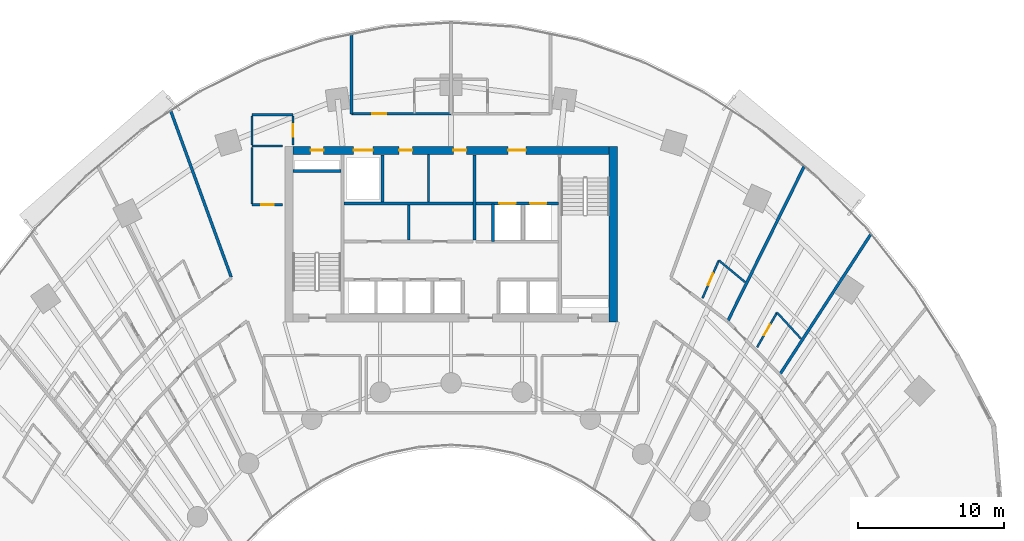
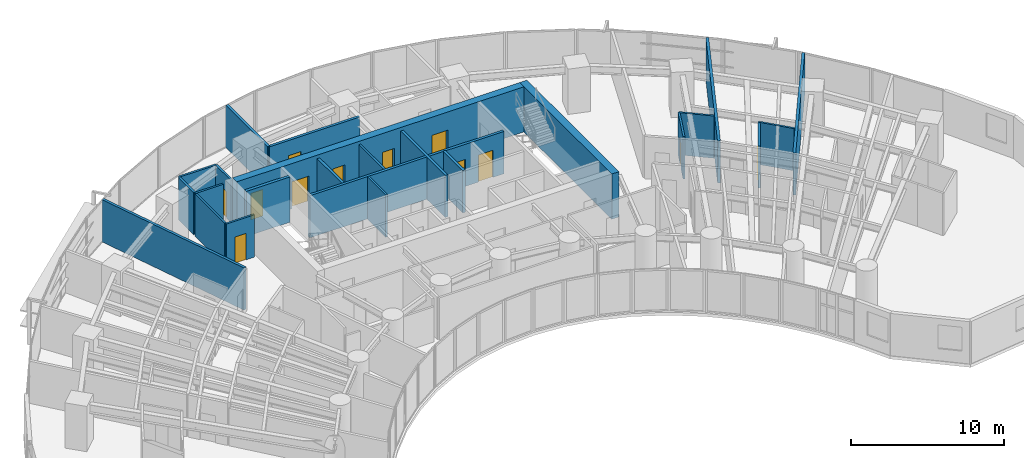
# One storey, part 14 of 18: 25 walls, 12 doors, 12 openings.
"""IFC4 building model written with IfcOpenShell, lengths in metres."""

import ifcopenshell
import ifcopenshell.guid

model = None  # the IFC model being written
_history = None  # IfcOwnerHistory: only IFC2X3 demands one
_inside = {}  # id of a spatial element -> (the spatial element, [elements in it])
_under = {}  # id of a project, library or spatial element -> (it, [spatial elements below it])
_declared = {}  # id of a project -> (the project, [libraries it declares])
_typed = {}  # id of a type object -> (the type object, [elements of that type])
_made_of = {}  # id of a material, layer set ... -> (it, [elements and type objects made of it])


def new_model(schema):
    """Start an empty IFC model of exactly this schema.

    Asked for "IFC4X3", IfcOpenShell would pick the latest addendum, in which some entities
    have other attributes; the version numbers below select the first issue.
    IFC2X3 requires an IfcOwnerHistory on every rooted entity: one is made here for all.
    """
    global model, _history
    if schema == "IFC4X3":
        model = ifcopenshell.file(schema_version=(4, 3, 0, 0))
    else:
        model = ifcopenshell.file(schema=schema)
    _inside.clear()
    _under.clear()
    _declared.clear()
    _typed.clear()
    _made_of.clear()
    _history = None
    if model.schema == "IFC2X3":
        org = make("IfcOrganization", Name="unknown")
        user = make(
            "IfcPersonAndOrganization",
            ThePerson=make("IfcPerson", FamilyName="unknown"),
            TheOrganization=org,
        )
        app = make(
            "IfcApplication",
            ApplicationDeveloper=org,
            Version="unknown",
            ApplicationFullName="unknown",
            ApplicationIdentifier="unknown",
        )
        _history = make(
            "IfcOwnerHistory",
            OwningUser=user,
            OwningApplication=app,
            ChangeAction="ADDED",
            CreationDate=0,
        )
    return model


def make(cls, **values):
    """One entity of the class cls with the attributes given. An attribute that is None is left unset."""
    return model.create_entity(
        cls, **{name: value for name, value in values.items() if value is not None}
    )


def rooted(cls, **values):
    """An entity with a GlobalId (a new one), such as an element, a storey or a relation."""
    return make(cls, GlobalId=ifcopenshell.guid.new(), OwnerHistory=_history, **values)


def si_unit(unit_type, name, prefix=None):
    """IfcSIUnit, for example si_unit("LENGTHUNIT", "METRE", prefix="MILLI")."""
    return make("IfcSIUnit", UnitType=unit_type, Prefix=prefix, Name=name)


def assignment(units):
    """IfcUnitAssignment: the units of a project."""
    return None if units is None else make("IfcUnitAssignment", Units=units)


def point(xyz):
    """IfcCartesianPoint."""
    return None if xyz is None else make("IfcCartesianPoint", Coordinates=xyz)


def direction(xyz):
    """IfcDirection."""
    return None if xyz is None else make("IfcDirection", DirectionRatios=xyz)


def frame(location, z_axis=None, x_axis=None):
    """IfcAxis2Placement3D, a coordinate frame: its origin and axes. An axis left out is left unset."""
    return make(
        "IfcAxis2Placement3D",
        Location=point(location),
        Axis=direction(z_axis),
        RefDirection=direction(x_axis),
    )


def frame_2d(location, x_axis=None):
    """IfcAxis2Placement2D, a coordinate frame in the plane: its origin and x axis."""
    return make(
        "IfcAxis2Placement2D", Location=point(location), RefDirection=direction(x_axis)
    )


def origin():
    """The frame at (0, 0, 0) with its axes left unset."""
    return frame((0.0, 0.0, 0.0))


def place(relative_to, where):
    """IfcLocalPlacement: puts the frame where relative to a parent placement (None: the world)."""
    return make(
        "IfcLocalPlacement", PlacementRelTo=relative_to, RelativePlacement=where
    )


def context(
    kind, dimensions, precision=None, world=None, true_north=None, identifier=None
):
    """IfcGeometricRepresentationContext, for example the 3D "Model" context."""
    return make(
        "IfcGeometricRepresentationContext",
        ContextIdentifier=identifier,
        ContextType=kind,
        CoordinateSpaceDimension=dimensions,
        Precision=precision,
        WorldCoordinateSystem=world,
        TrueNorth=true_north,
    )


def subcontext(parent, identifier, kind, view, scale=None):
    """IfcGeometricRepresentationSubContext, for example "Body" below "Model"."""
    return make(
        "IfcGeometricRepresentationSubContext",
        ContextIdentifier=identifier,
        ContextType=kind,
        ParentContext=parent,
        TargetScale=scale,
        TargetView=view,
    )


def project(units=None, contexts=None):
    """IfcProject with its units and contexts."""
    return rooted(
        "IfcProject",
        Name="project",
        RepresentationContexts=contexts,
        UnitsInContext=assignment(units),
    )


def spatial(cls, under=None, at=None, **own):
    """A site, building, storey or space (cls), placed at a placement, below another one or the project."""
    s = rooted(cls, ObjectPlacement=at, **own)
    if under is not None:
        _under.setdefault(under.id(), (under, []))[1].append(s)
    return s


def profile(cls, at=None, kind="AREA", **sizes):
    """A parametric profile (cls). Its sizes go by their IFC names, for example OverallWidth=200.0."""
    return make(cls, ProfileType=kind, Position=at, **sizes)


def rectangle(**sizes):
    """IfcRectangleProfileDef."""
    return profile("IfcRectangleProfileDef", **sizes)


def extrude(swept, where, along, depth):
    """IfcExtrudedAreaSolid: the profile swept, set in the frame where, extruded along a direction by depth."""
    return make(
        "IfcExtrudedAreaSolid",
        SweptArea=swept,
        Position=where,
        ExtrudedDirection=direction(along),
        Depth=depth,
    )


def shape(context_of_items, identifier, shape_type, items):
    """IfcShapeRepresentation: the items that make up one representation, for example the "Body"."""
    return make(
        "IfcShapeRepresentation",
        ContextOfItems=context_of_items,
        RepresentationIdentifier=identifier,
        RepresentationType=shape_type,
        Items=items,
    )


def source(mapping_origin, context_of_items, identifier, shape_type, items):
    """IfcRepresentationMap: a shape defined once, which mapped items show again and again."""
    return make(
        "IfcRepresentationMap",
        MappingOrigin=mapping_origin,
        MappedRepresentation=shape(context_of_items, identifier, shape_type, items),
    )


def transform(
    local_origin,
    x_axis=None,
    y_axis=None,
    z_axis=None,
    scale=None,
    scale2=None,
    scale3=None,
    uniform=True,
):
    """IfcCartesianTransformationOperator3D, or its non-uniform kind. x_axis, y_axis, z_axis: its Axis1, 2, 3."""
    if uniform:
        return make(
            "IfcCartesianTransformationOperator3D",
            Axis1=direction(x_axis),
            Axis2=direction(y_axis),
            LocalOrigin=point(local_origin),
            Scale=scale,
            Axis3=direction(z_axis),
        )
    return make(
        "IfcCartesianTransformationOperator3DnonUniform",
        Axis1=direction(x_axis),
        Axis2=direction(y_axis),
        LocalOrigin=point(local_origin),
        Scale=scale,
        Axis3=direction(z_axis),
        Scale2=scale2,
        Scale3=scale3,
    )


def mapped(mapping_source, mapping_target):
    """IfcMappedItem: shows the shape of a source again, moved by a transform."""
    return make(
        "IfcMappedItem", MappingSource=mapping_source, MappingTarget=mapping_target
    )


def material(Name=None, Category=None):
    """IfcMaterial."""
    return make("IfcMaterial", Name=Name, Category=Category)


def layer(
    of_material, thickness, ventilated=None, Name=None, Category=None, Priority=None
):
    """IfcMaterialLayer: one layer of a wall or slab, of a material (None: an air gap)."""
    return make(
        "IfcMaterialLayer",
        Material=of_material,
        LayerThickness=thickness,
        IsVentilated=ventilated,
        Name=Name,
        Category=Category,
        Priority=Priority,
    )


def layer_set(layers, Name=None):
    """IfcMaterialLayerSet."""
    return make("IfcMaterialLayerSet", MaterialLayers=layers, LayerSetName=Name)


def made_of(thing, what):
    """Note that an element or type object is made of a material, layer set ...; save() writes the relation."""
    if what is not None:
        _made_of.setdefault(what.id(), (what, []))[1].append(thing)
    return thing


def type_object(cls, material=None, **own):
    """A type object (cls), such as IfcWallType, which elements share."""
    return made_of(rooted(cls, **own), material)


def type_shapes(of_type, sources):
    """Give a type object the sources (RepresentationMaps) that its elements show as mapped items."""
    of_type.RepresentationMaps = sources


def element(
    cls,
    number,
    at=None,
    inside=None,
    cuts=None,
    type_object=None,
    material=None,
    context=None,
    identifier="Body",
    shape_type=None,
    held_by="IfcProductDefinitionShape",
    body=None,
    shapes=None,
    **own,
):
    """One element of the class cls, such as IfcWall. Its Tag is "e" and its number.

    at: its placement. inside: the storey or other place that contains it. cuts: it is an
    opening in that element (IfcRelVoidsElement). A single representation is given by context,
    identifier, shape_type and body (its items); several are given by shapes. held_by: the class
    of the entity that holds the representations. save() writes the other relations.
    """
    e = rooted(cls, Tag="e%d" % number, ObjectPlacement=at, **own)
    if body is not None:
        shapes = [shape(context, identifier, shape_type, body)]
    if shapes is not None:
        e.Representation = make(held_by, Representations=shapes)
    if inside is not None:
        _inside.setdefault(inside.id(), (inside, []))[1].append(e)
    if cuts is not None:
        rooted(
            "IfcRelVoidsElement", RelatingBuildingElement=cuts, RelatedOpeningElement=e
        )
    if type_object is not None:
        _typed.setdefault(type_object.id(), (type_object, []))[1].append(e)
    return made_of(e, material)


def fill(opening, filler):
    """IfcRelFillsElement: the door or window that sits in an opening."""
    return rooted(
        "IfcRelFillsElement",
        RelatingOpeningElement=opening,
        RelatedBuildingElement=filler,
    )


def aggregate(whole, parts):
    """IfcRelAggregates: a whole, such as a stair, and the parts it consists of."""
    return rooted("IfcRelAggregates", RelatingObject=whole, RelatedObjects=parts)


def save(model, path):
    """Write the relations noted so far, then the file.

    IfcRelAggregates (storeys below a building ...), IfcRelContainedInSpatialStructure (elements
    in a storey), IfcRelDefinesByType, IfcRelAssociatesMaterial and IfcRelDeclares: one each for
    every whole, place, type object, material and project.
    """
    for whole, parts in _under.values():
        aggregate(whole, parts)
    for where, things in _inside.values():
        rooted(
            "IfcRelContainedInSpatialStructure",
            RelatedElements=things,
            RelatingStructure=where,
        )
    for kind, things in _typed.values():
        rooted("IfcRelDefinesByType", RelatedObjects=things, RelatingType=kind)
    for what, things in _made_of.values():
        rooted("IfcRelAssociatesMaterial", RelatedObjects=things, RelatingMaterial=what)
    for by, libraries in _declared.values():
        rooted("IfcRelDeclares", RelatingContext=by, RelatedDefinitions=libraries)
    model.write(path)


model = new_model("IFC4")

# Units and contexts
model_context = context("Model", 3, precision=1e-05, world=origin(), true_north=direction((0.0, 1.0)))
body_context = subcontext(model_context, "Body", "Model", "MODEL_VIEW")
ifc_project = project(units=[si_unit("LENGTHUNIT", "METRE"), si_unit("AREAUNIT", "SQUARE_METRE"), si_unit("VOLUMEUNIT", "CUBIC_METRE"), si_unit("PLANEANGLEUNIT", "RADIAN"), si_unit("MASSUNIT", "GRAM", prefix="KILO")], contexts=[model_context])

# Site, building, storey
site_placement = place(None, origin())
site = spatial("IfcSite", under=ifc_project, at=site_placement, CompositionType="ELEMENT")
building_placement = place(site_placement, origin())
building = spatial("IfcBuilding", under=site, at=building_placement, Name="Breltana Convention Tower", CompositionType="ELEMENT")
storey_placement = place(building_placement, frame((0.0, 0.0, 42.60009765625)))
storey = spatial("IfcBuildingStorey", under=building, at=storey_placement, Name="L08", CompositionType="ELEMENT", Elevation=42.60009765625)

# Wall
ifc_material_1 = material(Name="Concrete C60/75", Category="concrete")
ifc_layer_1 = layer(ifc_material_1, 0.550048828125, Name="Concrete C60/75")
ifc_layer_set_1 = layer_set([ifc_layer_1], Name="Concrete C60/75")
wall_type_1 = type_object("IfcWallType", Name="SW-CORE-550", PredefinedType="SHEAR", material=ifc_layer_set_1)
shared_shape_1 = source(origin(), body_context, "Body", "SweptSolid", [
    extrude(rectangle(XDim=12.0, YDim=0.550048828125, at=frame_2d((6.0, 0.0))), origin(), (0.0, 0.0, 1.0), 3.599853515625),
])
wall_1_placement = place(storey_placement, frame((59.074951171875, 60.199951171875, 0.0), z_axis=(0.0, 0.0, 1.0), x_axis=(0.0, 1.0, 0.0)))
element("IfcWall", 1, at=wall_1_placement, inside=storey, type_object=wall_type_1, Name="L08 East Core Shear Wall", PredefinedType="SHEAR", context=body_context, shape_type="MappedRepresentation", body=[
    mapped(shared_shape_1, transform((0.0, 0.0, 0.0), scale=1.0)),
])

# Wall, openings, doors
shared_shape_2 = source(origin(), body_context, "Body", "SweptSolid", [
    extrude(rectangle(XDim=21.60009765625, YDim=0.550048828125, at=frame_2d((10.800048828125, 0.0))), origin(), (0.0, 0.0, 1.0), 3.599853515625),
])
wall_2_placement = place(storey_placement, frame((37.199951171875, 71.925048828125, 0.0), z_axis=(0.0, 0.0, 1.0), x_axis=(1.0, 0.0, 0.0)))
wall_2 = element("IfcWall", 2, at=wall_2_placement, inside=storey, type_object=wall_type_1, Name="L08 North Core Shear Wall", PredefinedType="SHEAR", context=body_context, shape_type="MappedRepresentation", body=[
    mapped(shared_shape_2, transform((0.0, 0.0, 0.0), scale=1.0)),
])
opening_1_placement = place(wall_2_placement, frame((1.199951171875, 0.0, 0.0)))
opening_1 = element("IfcOpeningElement", 3, at=opening_1_placement, cuts=wall_2, Name="Opening D-18", PredefinedType="OPENING", context=body_context, shape_type="SweptSolid", body=[
    extrude(rectangle(XDim=0.89990234375, YDim=2.10009765625, at=frame_2d((0.449951171875, 1.050048828125))), frame((0.0, 0.28515625, 0.0), z_axis=(0.0, -1.0, 0.0), x_axis=(1.0, 0.0, 0.0)), (0.0, 0.0, 1.0), 0.570068359375),
])
opening_2_placement = place(wall_2_placement, frame((14.699951171875, 0.0, 0.0)))
opening_2 = element("IfcOpeningElement", 4, at=opening_2_placement, cuts=wall_2, Name="Opening D-09", PredefinedType="OPENING", context=body_context, shape_type="SweptSolid", body=[
    extrude(rectangle(XDim=1.199951171875, YDim=2.14990234375, at=frame_2d((0.60009765625, 1.074951171875))), frame((0.0, 0.28515625, 0.0), z_axis=(0.0, -1.0, 0.0), x_axis=(1.0, 0.0, 0.0)), (0.0, 0.0, 1.0), 0.570068359375),
])
opening_3_placement = place(wall_2_placement, frame((4.14990234375, 0.0, 0.0)))
opening_3 = element("IfcOpeningElement", 5, at=opening_3_placement, cuts=wall_2, Name="Opening LD-01", PredefinedType="OPENING", context=body_context, shape_type="SweptSolid", body=[
    extrude(rectangle(XDim=1.300048828125, YDim=2.14990234375, at=frame_2d((0.64990234375, 1.074951171875))), frame((0.0, 0.28515625, 0.0), z_axis=(0.0, -1.0, 0.0), x_axis=(1.0, 0.0, 0.0)), (0.0, 0.0, 1.0), 0.570068359375),
])
opening_4_placement = place(wall_2_placement, frame((7.25, 0.0, 0.0)))
opening_4 = element("IfcOpeningElement", 6, at=opening_4_placement, cuts=wall_2, Name="Opening D-18", PredefinedType="OPENING", context=body_context, shape_type="SweptSolid", body=[
    extrude(rectangle(XDim=0.89990234375, YDim=2.10009765625, at=frame_2d((0.449951171875, 1.050048828125))), frame((0.0, 0.28515625, 0.0), z_axis=(0.0, -1.0, 0.0), x_axis=(1.0, 0.0, 0.0)), (0.0, 0.0, 1.0), 0.570068359375),
])
opening_5_placement = place(wall_2_placement, frame((10.949951171875, 0.0, 0.0)))
opening_5 = element("IfcOpeningElement", 7, at=opening_5_placement, cuts=wall_2, Name="Opening D-18", PredefinedType="OPENING", context=body_context, shape_type="SweptSolid", body=[
    extrude(rectangle(XDim=0.89990234375, YDim=2.10009765625, at=frame_2d((0.449951171875, 1.050048828125))), frame((0.0, 0.28515625, 0.0), z_axis=(0.0, -1.0, 0.0), x_axis=(1.0, 0.0, 0.0)), (0.0, 0.0, 1.0), 0.570068359375),
])
ifc_material_2 = material(Name="Steel Riser Fire Door", Category="steel")
door_type_1 = type_object("IfcDoorType", Name="DR-FD60-900", OperationType="NOTDEFINED", PredefinedType="DOOR", material=ifc_material_2)
shared_shape_3 = source(origin(), body_context, "Body", "SweptSolid", [
    extrude(rectangle(XDim=0.89990234375, YDim=2.10009765625, at=frame_2d((0.449951171875, 1.050048828125))), frame((0.0, 0.02490234375, 0.0), z_axis=(0.0, -1.0, 0.0), x_axis=(1.0, 0.0, 0.0)), (0.0, 0.0, 1.0), 0.050048828125),
])
type_shapes(door_type_1, [shared_shape_3])
door_1_placement = place(opening_1_placement, origin())
door_1 = element("IfcDoor", 8, at=door_1_placement, inside=storey, type_object=door_type_1, Name="L08 Core Riser Access Door D-L08-RS1", OperationType="SINGLE_SWING_LEFT", OverallHeight=2.10009765625, OverallWidth=0.89990234375, PredefinedType="DOOR", context=body_context, shape_type="MappedRepresentation", body=[
    mapped(shared_shape_3, transform((0.0, 0.0, 0.0), scale=1.0)),
])
fill(opening_1, door_1)
door_2_placement = place(opening_4_placement, origin())
door_2 = element("IfcDoor", 9, at=door_2_placement, inside=storey, type_object=door_type_1, Name="L08 interior door D-L08-CRA1", OperationType="SINGLE_SWING_RIGHT", OverallHeight=2.10009765625, OverallWidth=0.89990234375, PredefinedType="DOOR", context=body_context, shape_type="MappedRepresentation", body=[
    mapped(shared_shape_3, transform((0.0, 0.0, 0.0), scale=1.0)),
])
fill(opening_4, door_2)
door_3_placement = place(opening_5_placement, origin())
door_3 = element("IfcDoor", 10, at=door_3_placement, inside=storey, type_object=door_type_1, Name="L08 interior door D-L08-CRA2", OperationType="SINGLE_SWING_LEFT", OverallHeight=2.10009765625, OverallWidth=0.89990234375, PredefinedType="DOOR", context=body_context, shape_type="MappedRepresentation", body=[
    mapped(shared_shape_3, transform((0.0, 0.0, 0.0), scale=1.0)),
])
fill(opening_5, door_3)
ifc_material_3 = material(Name="Steel Fire Lobby Door", Category="steel")
door_type_2 = type_object("IfcDoorType", Name="DR-FD120-1200", OperationType="NOTDEFINED", PredefinedType="DOOR", material=ifc_material_3)
shared_shape_4 = source(origin(), body_context, "Body", "SweptSolid", [
    extrude(rectangle(XDim=1.199951171875, YDim=2.14990234375, at=frame_2d((0.60009765625, 1.074951171875))), frame((0.0, 0.02490234375, 0.0), z_axis=(0.0, -1.0, 0.0), x_axis=(1.0, 0.0, 0.0)), (0.0, 0.0, 1.0), 0.050048828125),
])
type_shapes(door_type_2, [shared_shape_4])
door_4_placement = place(opening_2_placement, origin())
door_4 = element("IfcDoor", 11, at=door_4_placement, inside=storey, type_object=door_type_2, Name="L08 interior door D-L08-FFL-N", OperationType="SINGLE_SWING_RIGHT", OverallHeight=2.14990234375, OverallWidth=1.199951171875, PredefinedType="DOOR", context=body_context, shape_type="MappedRepresentation", body=[
    mapped(shared_shape_4, transform((0.0, 0.0, 0.0), scale=1.0)),
])
fill(opening_2, door_4)
ifc_material_4 = material(Name="Stainless Steel Brushed", Category="steel")
door_type_3 = type_object("IfcDoorType", Name="DR-LD-SRV-1300", OperationType="DOUBLE_DOOR_SLIDING", PredefinedType="DOOR", material=ifc_material_4)
shared_shape_5 = source(origin(), body_context, "Body", "SweptSolid", [
    extrude(rectangle(XDim=1.300048828125, YDim=2.14990234375, at=frame_2d((0.64990234375, 1.074951171875))), frame((0.0, 0.02490234375, 0.0), z_axis=(0.0, -1.0, 0.0), x_axis=(1.0, 0.0, 0.0)), (0.0, 0.0, 1.0), 0.050048828125),
])
type_shapes(door_type_3, [shared_shape_5])
door_5_placement = place(opening_3_placement, origin())
door_5 = element("IfcDoor", 12, at=door_5_placement, inside=storey, type_object=door_type_3, Name="L08 Lift Landing Door D-L08-LD-SV1", OperationType="DOUBLE_DOOR_SLIDING", OverallHeight=2.14990234375, OverallWidth=1.300048828125, PredefinedType="DOOR", context=body_context, shape_type="MappedRepresentation", body=[
    mapped(shared_shape_5, transform((0.0, 0.0, 0.0), scale=1.0)),
])
fill(opening_3, door_5)

# Wall
ifc_material_5 = material(Name="Concrete C50/60", Category="concrete")
ifc_layer_2 = layer(ifc_material_5, 0.39990234375, Name="Concrete C50/60")
ifc_layer_set_2 = layer_set([ifc_layer_2], Name="Concrete C50/60")
wall_type_2 = type_object("IfcWallType", Name="SW-CORE-400", PredefinedType="SHEAR", material=ifc_layer_set_2)
shared_shape_6 = source(origin(), body_context, "Body", "SweptSolid", [
    extrude(rectangle(XDim=3.27001953125, YDim=0.219970703125, at=frame_2d((1.635009765625, 0.0))), origin(), (0.0, 0.0, 1.0), 3.599853515625),
])
wall_3_placement = place(storey_placement, frame((37.199951171875, 70.510009765625, 0.0), z_axis=(0.0, 0.0, 1.0), x_axis=(1.0, 0.0, 0.0)))
element("IfcWall", 13, at=wall_3_placement, inside=storey, type_object=wall_type_2, Name="L08 ST-1 Stairwell North Bearing Wall", PredefinedType="SHEAR", context=body_context, shape_type="MappedRepresentation", body=[
    mapped(shared_shape_6, transform((0.0, 0.0, 0.0), scale=1.0)),
])

# Wall, openings, doors
ifc_material_6 = material(Name="Autoclaved Aerated Concrete Block", Category="concrete")
ifc_layer_3 = layer(ifc_material_6, 0.199951171875, Name="Autoclaved Aerated Concrete Block")
ifc_layer_set_3 = layer_set([ifc_layer_3], Name="Autoclaved Aerated Concrete Block")
wall_type_3 = type_object("IfcWallType", Name="WL-SHAFT-200", PredefinedType="SOLIDWALL", material=ifc_layer_set_3)
shared_shape_7 = source(origin(), body_context, "Body", "SweptSolid", [
    extrude(rectangle(XDim=5.6201171875, YDim=0.199951171875, at=frame_2d((2.81005859375, 0.0))), origin(), (0.0, 0.0, 1.0), 3.35986328125),
])
wall_4_placement = place(storey_placement, frame((49.699951171875, 68.300048828125, 0.0), z_axis=(0.0, 0.0, 1.0), x_axis=(1.0, 0.0, 0.0)))
wall_4 = element("IfcWall", 14, at=wall_4_placement, inside=storey, type_object=wall_type_3, Name="L08 interior partition W-L08-FFL-S", PredefinedType="SOLIDWALL", context=body_context, shape_type="MappedRepresentation", body=[
    mapped(shared_shape_7, transform((0.0, 0.0, 0.0), scale=1.0)),
])
opening_6_placement = place(wall_4_placement, frame((1.60009765625, 0.0, 0.0)))
opening_6 = element("IfcOpeningElement", 15, at=opening_6_placement, cuts=wall_4, Name="Opening LD-03", PredefinedType="OPENING", context=body_context, shape_type="SweptSolid", body=[
    extrude(rectangle(XDim=1.10009765625, YDim=2.14990234375, at=frame_2d((0.550048828125, 1.074951171875))), frame((0.0, 0.10986328125, 0.0), z_axis=(0.0, -1.0, 0.0), x_axis=(1.0, 0.0, 0.0)), (0.0, 0.0, 1.0), 0.219970703125),
])
opening_7_placement = place(wall_4_placement, frame((3.699951171875, 0.0, 0.0)))
opening_7 = element("IfcOpeningElement", 16, at=opening_7_placement, cuts=wall_4, Name="Opening LD-03", PredefinedType="OPENING", context=body_context, shape_type="SweptSolid", body=[
    extrude(rectangle(XDim=1.10009765625, YDim=2.14990234375, at=frame_2d((0.550048828125, 1.074951171875))), frame((0.0, 0.10986328125, 0.0), z_axis=(0.0, -1.0, 0.0), x_axis=(1.0, 0.0, 0.0)), (0.0, 0.0, 1.0), 0.219970703125),
])
door_type_4 = type_object("IfcDoorType", Name="DR-LD-FF-1100", OperationType="DOUBLE_DOOR_SLIDING", PredefinedType="DOOR", material=ifc_material_4)
shared_shape_8 = source(origin(), body_context, "Body", "SweptSolid", [
    extrude(rectangle(XDim=1.10009765625, YDim=2.14990234375, at=frame_2d((0.550048828125, 1.074951171875))), frame((0.0, 0.02490234375, 0.0), z_axis=(0.0, -1.0, 0.0), x_axis=(1.0, 0.0, 0.0)), (0.0, 0.0, 1.0), 0.050048828125),
])
type_shapes(door_type_4, [shared_shape_8])
door_6_placement = place(opening_6_placement, origin())
door_6 = element("IfcDoor", 17, at=door_6_placement, inside=storey, type_object=door_type_4, Name="L08 Lift Landing Door D-L08-LD-FL1", OperationType="DOUBLE_DOOR_SLIDING", OverallHeight=2.14990234375, OverallWidth=1.10009765625, PredefinedType="DOOR", context=body_context, shape_type="MappedRepresentation", body=[
    mapped(shared_shape_8, transform((0.0, 0.0, 0.0), scale=1.0)),
])
fill(opening_6, door_6)
door_7_placement = place(opening_7_placement, origin())
door_7 = element("IfcDoor", 18, at=door_7_placement, inside=storey, type_object=door_type_4, Name="L08 Lift Landing Door D-L08-LD-FL2", OperationType="DOUBLE_DOOR_SLIDING", OverallHeight=2.14990234375, OverallWidth=1.10009765625, PredefinedType="DOOR", context=body_context, shape_type="MappedRepresentation", body=[
    mapped(shared_shape_8, transform((0.0, 0.0, 0.0), scale=1.0)),
])
fill(opening_7, door_7)

# Walls
shared_shape_9 = source(origin(), body_context, "Body", "SweptSolid", [
    extrude(rectangle(XDim=5.800048828125, YDim=0.199951171875, at=frame_2d((2.89990234375, 0.0))), origin(), (0.0, 0.0, 1.0), 3.35986328125),
])
wall_5_placement = place(storey_placement, frame((49.60009765625, 65.800048828125, 0.0), z_axis=(0.0, 0.0, 1.0), x_axis=(0.0, 1.0, 0.0)))
element("IfcWall", 19, at=wall_5_placement, inside=storey, type_object=wall_type_3, Name="L08 interior partition W-L08-FFL-W", PredefinedType="SOLIDWALL", context=body_context, shape_type="MappedRepresentation", body=[
    mapped(shared_shape_9, transform((0.0, 0.0, 0.0), scale=1.0)),
])
shared_shape_10 = source(origin(), body_context, "Body", "SweptSolid", [
    extrude(rectangle(XDim=2.580078125, YDim=0.199951171875, at=frame_2d((1.2900390625, 0.0))), origin(), (0.0, 0.0, 1.0), 3.35986328125),
])
wall_6_placement = place(storey_placement, frame((50.85009765625, 65.679931640625, 0.0), z_axis=(0.0, 0.0, 1.0), x_axis=(0.0, 1.0, 0.0)))
element("IfcWall", 20, at=wall_6_placement, inside=storey, type_object=wall_type_3, Name="L08 interior partition W-L08-FL-W", PredefinedType="SOLIDWALL", context=body_context, shape_type="MappedRepresentation", body=[
    mapped(shared_shape_10, transform((0.0, 0.0, 0.0), scale=1.0)),
])
shared_shape_11 = source(origin(), body_context, "Body", "SweptSolid", [
    extrude(rectangle(XDim=3.2001953125, YDim=0.199951171875, at=frame_2d((1.60009765625, 0.0))), origin(), (0.0, 0.0, 1.0), 3.35986328125),
])
wall_7_placement = place(storey_placement, frame((43.320068359375, 68.39990234375, 0.0), z_axis=(0.0, 0.0, 1.0), x_axis=(0.0, 1.0, 0.0)))
element("IfcWall", 21, at=wall_7_placement, inside=storey, type_object=wall_type_3, Name="L08 interior partition W-L08-SV-E", PredefinedType="SOLIDWALL", context=body_context, shape_type="MappedRepresentation", body=[
    mapped(shared_shape_11, transform((0.0, 0.0, 0.0), scale=1.0)),
])
shared_shape_12 = source(origin(), body_context, "Body", "SweptSolid", [
    extrude(rectangle(XDim=8.800048828125, YDim=0.199951171875, at=frame_2d((4.39990234375, 0.0))), origin(), (0.0, 0.0, 1.0), 3.35986328125),
])
wall_8_placement = place(storey_placement, frame((40.699951171875, 68.300048828125, 0.0), z_axis=(0.0, 0.0, 1.0), x_axis=(1.0, 0.0, 0.0)))
element("IfcWall", 22, at=wall_8_placement, inside=storey, type_object=wall_type_3, Name="L08 interior partition W-L08-SV-S", PredefinedType="SOLIDWALL", context=body_context, shape_type="MappedRepresentation", body=[
    mapped(shared_shape_12, transform((0.0, 0.0, 0.0), scale=1.0)),
])
ifc_material_7 = material(Name="Gypsum Acoustic Drywall Partition")
ifc_layer_4 = layer(ifc_material_7, 0.14990234375, Name="Gypsum Acoustic Drywall Partition")
ifc_layer_set_4 = layer_set([ifc_layer_4], Name="Gypsum Acoustic Drywall Partition")
wall_type_4 = type_object("IfcWallType", Name="WL-PART-150", PredefinedType="PARTITIONING", material=ifc_layer_set_4)
shared_shape_13 = source(origin(), body_context, "Body", "SweptSolid", [
    extrude(rectangle(XDim=3.22998046875, YDim=0.14990234375, at=frame_2d((1.614990234375, 0.0))), origin(), (0.0, 0.0, 1.0), 3.35986328125),
])
wall_9_placement = place(storey_placement, frame((46.449951171875, 68.39990234375, 0.0), z_axis=(0.0, 0.0, 1.0), x_axis=(0.0, 1.0, 0.0)))
element("IfcWall", 23, at=wall_9_placement, inside=storey, type_object=wall_type_4, Name="L08 interior partition W-L08-KV-1", PredefinedType="PARTITIONING", context=body_context, shape_type="MappedRepresentation", body=[
    mapped(shared_shape_13, transform((0.0, 0.0, 0.0), scale=1.0)),
])
shared_shape_14 = source(origin(), body_context, "Body", "SweptSolid", [
    extrude(rectangle(XDim=2.39990234375, YDim=0.14990234375, at=frame_2d((1.199951171875, 0.0))), origin(), (0.0, 0.0, 1.0), 3.35986328125),
])
wall_10_placement = place(storey_placement, frame((45.10009765625, 65.800048828125, 0.0), z_axis=(0.0, 0.0, 1.0), x_axis=(0.0, 1.0, 0.0)))
element("IfcWall", 24, at=wall_10_placement, inside=storey, type_object=wall_type_4, Name="L08 interior partition W-L08-LV7-B2-DIV", PredefinedType="PARTITIONING", context=body_context, shape_type="MappedRepresentation", body=[
    mapped(shared_shape_14, transform((0.0, 0.0, 0.0), scale=1.0)),
])
shared_shape_15 = source(origin(), body_context, "Body", "SweptSolid", [
    extrude(rectangle(XDim=2.10009765625, YDim=0.14990234375, at=frame_2d((1.050048828125, 0.0))), origin(), (0.0, 0.0, 1.0), 3.35986328125),
])
wall_11_placement = place(storey_placement, frame((34.39990234375, 72.219970703125, 0.0), z_axis=(0.0, 0.0, 1.0), x_axis=(1.0, 0.0, 0.0)))
element("IfcWall", 25, at=wall_11_placement, inside=storey, type_object=wall_type_4, Name="L08 interior partition W-L08-CRNW-S", PredefinedType="PARTITIONING", context=body_context, shape_type="MappedRepresentation", body=[
    mapped(shared_shape_15, transform((0.0, 0.0, 0.0), scale=1.0)),
])

# Wall, opening, door
wall_12_placement = place(storey_placement, frame((34.39990234375, 68.199951171875, 0.0), z_axis=(0.0, 0.0, 1.0), x_axis=(1.0, 0.0, 0.0)))
wall_12 = element("IfcWall", 26, at=wall_12_placement, inside=storey, type_object=wall_type_4, Name="L08 interior partition W-L08-CRSW-S", PredefinedType="PARTITIONING", context=body_context, shape_type="MappedRepresentation", body=[
    mapped(shared_shape_15, transform((0.0, 0.0, 0.0), scale=1.0)),
])
opening_8_placement = place(wall_12_placement, frame((0.625, 0.0, 0.0)))
opening_8 = element("IfcOpeningElement", 27, at=opening_8_placement, cuts=wall_12, Name="Opening D-20", PredefinedType="OPENING", context=body_context, shape_type="SweptSolid", body=[
    extrude(rectangle(XDim=0.85009765625, YDim=2.10009765625, at=frame_2d((0.425048828125, 1.050048828125))), frame((0.0, 0.0849609375, 0.0), z_axis=(0.0, -1.0, 0.0), x_axis=(1.0, 0.0, 0.0)), (0.0, 0.0, 1.0), 0.169921875),
])
ifc_material_8 = material(Name="Steel Closet Fire Door", Category="steel")
door_type_5 = type_object("IfcDoorType", Name="DR-FD60-850", OperationType="NOTDEFINED", PredefinedType="DOOR", material=ifc_material_8)
shared_shape_16 = source(origin(), body_context, "Body", "SweptSolid", [
    extrude(rectangle(XDim=0.85009765625, YDim=2.10009765625, at=frame_2d((0.425048828125, 1.050048828125))), frame((0.0, 0.02490234375, 0.0), z_axis=(0.0, -1.0, 0.0), x_axis=(1.0, 0.0, 0.0)), (0.0, 0.0, 1.0), 0.050048828125),
])
type_shapes(door_type_5, [shared_shape_16])
door_8_placement = place(opening_8_placement, origin())
door_8 = element("IfcDoor", 28, at=door_8_placement, inside=storey, type_object=door_type_5, Name="L08 interior door D-L08-CRSW", OperationType="SINGLE_SWING_LEFT", OverallHeight=2.10009765625, OverallWidth=0.85009765625, PredefinedType="DOOR", context=body_context, shape_type="MappedRepresentation", body=[
    mapped(shared_shape_16, transform((0.0, 0.0, 0.0), scale=1.0)),
])
fill(opening_8, door_8)

# Walls
shared_shape_17 = source(origin(), body_context, "Body", "SweptSolid", [
    extrude(rectangle(XDim=2.800048828125, YDim=0.14990234375, at=frame_2d((1.39990234375, 0.0))), origin(), (0.0, 0.0, 1.0), 3.35986328125),
])
wall_13_placement = place(storey_placement, frame((34.39990234375, 74.35009765625, 0.0), z_axis=(0.0, 0.0, 1.0), x_axis=(1.0, 0.0, 0.0)))
element("IfcWall", 29, at=wall_13_placement, inside=storey, type_object=wall_type_4, Name="L08 interior partition W-L08-CRNW-N", PredefinedType="PARTITIONING", context=body_context, shape_type="MappedRepresentation", body=[
    mapped(shared_shape_17, transform((0.0, 0.0, 0.0), scale=1.0)),
])
shared_shape_18 = source(origin(), body_context, "Body", "SweptSolid", [
    extrude(rectangle(XDim=1.994873046875, YDim=0.14990234375, at=frame_2d((0.99755859375, 0.0))), origin(), (0.0, 0.0, 1.0), 3.35986328125),
])
wall_14_placement = place(storey_placement, frame((34.39990234375, 72.28759765625, 0.0), z_axis=(0.0, 0.0, 1.0), x_axis=(0.0, 1.0, 0.0)))
element("IfcWall", 30, at=wall_14_placement, inside=storey, type_object=wall_type_4, Name="L08 interior partition W-L08-CRNW-W", PredefinedType="PARTITIONING", context=body_context, shape_type="MappedRepresentation", body=[
    mapped(shared_shape_18, transform((0.0, 0.0, 0.0), scale=1.0)),
])

# Wall, opening, door
shared_shape_19 = source(origin(), body_context, "Body", "SweptSolid", [
    extrude(rectangle(XDim=1.982421875, YDim=0.14990234375, at=frame_2d((0.9912109375, 0.0))), origin(), (0.0, 0.0, 1.0), 3.35986328125),
])
wall_15_placement = place(storey_placement, frame((37.199951171875, 72.300048828125, 0.0), z_axis=(0.0, 0.0, 1.0), x_axis=(0.0, 1.0, 0.0)))
wall_15 = element("IfcWall", 31, at=wall_15_placement, inside=storey, type_object=wall_type_4, Name="L08 interior partition W-L08-CRNW-E", PredefinedType="PARTITIONING", context=body_context, shape_type="MappedRepresentation", body=[
    mapped(shared_shape_19, transform((0.0, 0.0, 0.0), scale=1.0)),
])
opening_9_placement = place(wall_15_placement, frame((0.56640625, 0.0, 0.0)))
opening_9 = element("IfcOpeningElement", 32, at=opening_9_placement, cuts=wall_15, Name="Opening D-20", PredefinedType="OPENING", context=body_context, shape_type="SweptSolid", body=[
    extrude(rectangle(XDim=0.85009765625, YDim=2.10009765625, at=frame_2d((0.425048828125, 1.050048828125))), frame((0.0, 0.0849609375, 0.0), z_axis=(0.0, -1.0, 0.0), x_axis=(1.0, 0.0, 0.0)), (0.0, 0.0, 1.0), 0.169921875),
])
door_9_placement = place(opening_9_placement, origin())
door_9 = element("IfcDoor", 33, at=door_9_placement, inside=storey, type_object=door_type_5, Name="L08 interior door D-L08-CRNW", OperationType="SINGLE_SWING_RIGHT", OverallHeight=2.10009765625, OverallWidth=0.85009765625, PredefinedType="DOOR", context=body_context, shape_type="MappedRepresentation", body=[
    mapped(shared_shape_16, transform((0.0, 0.0, 0.0), scale=1.0)),
])
fill(opening_9, door_9)

# Wall
shared_shape_20 = source(origin(), body_context, "Body", "SweptSolid", [
    extrude(rectangle(XDim=3.844970703125, YDim=0.14990234375, at=frame_2d((1.92236328125, 0.0))), origin(), (0.0, 0.0, 1.0), 3.35986328125),
])
wall_16_placement = place(storey_placement, frame((34.39990234375, 68.267578125, 0.0), z_axis=(0.0, 0.0, 1.0), x_axis=(0.0, 1.0, 0.0)))
element("IfcWall", 34, at=wall_16_placement, inside=storey, type_object=wall_type_4, Name="L08 interior partition W-L08-CRSW-W", PredefinedType="PARTITIONING", context=body_context, shape_type="MappedRepresentation", body=[
    mapped(shared_shape_20, transform((0.0, 0.0, 0.0), scale=1.0)),
])

# Wall, opening, door
ifc_material_9 = material(Name="Gypsum Acoustic Hotel Wall")
ifc_layer_5 = layer(ifc_material_9, 0.195068359375, Name="Gypsum Acoustic Hotel Wall")
ifc_layer_set_5 = layer_set([ifc_layer_5], Name="Gypsum Acoustic Hotel Wall")
wall_type_5 = type_object("IfcWallType", Name="WL-HOTEL-200", PredefinedType="PARTITIONING", material=ifc_layer_set_5)
shared_shape_21 = source(origin(), body_context, "Body", "SweptSolid", [
    extrude(rectangle(XDim=6.800048828125, YDim=0.195068359375, at=frame_2d((3.39990234375, 0.0))), origin(), (0.0, 0.0, 1.0), 3.35986328125),
])
wall_17_placement = place(storey_placement, frame((41.199951171875, 74.419921875, 0.0), z_axis=(0.0, 0.0, 1.0), x_axis=(1.0, 0.0, 0.0)))
wall_17 = element("IfcWall", 35, at=wall_17_placement, inside=storey, type_object=wall_type_5, Name="L08 interior partition W-L08-GRN1-S", PredefinedType="PARTITIONING", context=body_context, shape_type="MappedRepresentation", body=[
    mapped(shared_shape_21, transform((0.0, 0.0, 0.0), scale=1.0)),
])
opening_10_placement = place(wall_17_placement, frame((1.428955078125, 0.0, 0.0)))
opening_10 = element("IfcOpeningElement", 36, at=opening_10_placement, cuts=wall_17, Name="Opening D-14", PredefinedType="OPENING", context=body_context, shape_type="SweptSolid", body=[
    extrude(rectangle(XDim=0.949951171875, YDim=2.14990234375, at=frame_2d((0.47509765625, 1.074951171875))), frame((0.0, 0.107421875, 0.0), z_axis=(0.0, -1.0, 0.0), x_axis=(1.0, 0.0, 0.0)), (0.0, 0.0, 1.0), 0.215087890625),
])
ifc_material_10 = material(Name="Timber Solid-Core Fire Door", Category="wood")
door_type_6 = type_object("IfcDoorType", Name="DR-FD60-950", OperationType="NOTDEFINED", PredefinedType="DOOR", material=ifc_material_10)
shared_shape_22 = source(origin(), body_context, "Body", "SweptSolid", [
    extrude(rectangle(XDim=0.949951171875, YDim=2.14990234375, at=frame_2d((0.47509765625, 1.074951171875))), frame((0.0, 0.02490234375, 0.0), z_axis=(0.0, -1.0, 0.0), x_axis=(1.0, 0.0, 0.0)), (0.0, 0.0, 1.0), 0.050048828125),
])
type_shapes(door_type_6, [shared_shape_22])
door_10_placement = place(opening_10_placement, origin())
door_10 = element("IfcDoor", 37, at=door_10_placement, inside=storey, type_object=door_type_6, Name="L08 interior door D-L08-GRN1", OperationType="SINGLE_SWING_LEFT", OverallHeight=2.14990234375, OverallWidth=0.949951171875, PredefinedType="DOOR", context=body_context, shape_type="MappedRepresentation", body=[
    mapped(shared_shape_22, transform((0.0, 0.0, 0.0), scale=1.0)),
])
fill(opening_10, door_10)

# Walls
shared_shape_23 = source(origin(), body_context, "Body", "SweptSolid", [
    extrude(rectangle(XDim=5.42626953125, YDim=0.195068359375, at=frame_2d((2.713134765625, 0.0))), origin(), (0.0, 0.0, 1.0), 3.35986328125),
])
wall_18_placement = place(storey_placement, frame((41.199951171875, 74.419921875, 0.0), z_axis=(0.0, 0.0, 1.0), x_axis=(0.0, 1.0, 0.0)))
element("IfcWall", 38, at=wall_18_placement, inside=storey, type_object=wall_type_5, Name="L08 interior partition W-L08-GRN1-SD", PredefinedType="PARTITIONING", context=body_context, shape_type="MappedRepresentation", body=[
    mapped(shared_shape_23, transform((0.0, 0.0, 0.0), scale=1.0)),
])
shared_shape_24 = source(origin(), body_context, "Body", "SweptSolid", [
    extrude(rectangle(XDim=11.402587890625, YDim=0.195068359375, at=frame_2d((5.701171875, 0.0))), origin(), (0.0, 0.0, 1.0), 3.35986328125),
])
wall_19_placement = place(storey_placement, frame((70.4765625, 56.6474609375, 0.0), z_axis=(0.0, 0.0, 1.0), x_axis=(0.544246090008, 0.838925618581, 0.0)))
element("IfcWall", 39, at=wall_19_placement, inside=storey, type_object=wall_type_5, Name="L08 interior partition W-L08-HK09-RB", PredefinedType="PARTITIONING", context=body_context, shape_type="MappedRepresentation", body=[
    mapped(shared_shape_24, transform((0.0, 0.0, 0.0), scale=1.0)),
])
shared_shape_25 = source(origin(), body_context, "Body", "SweptSolid", [
    extrude(rectangle(XDim=11.769775390625, YDim=0.195068359375, at=frame_2d((5.884765625, 0.0))), origin(), (0.0, 0.0, 1.0), 3.35986328125),
])
wall_20_placement = place(storey_placement, frame((66.909423828125, 60.282470703125, 0.0), z_axis=(0.0, 0.0, 1.0), x_axis=(0.44286060326, 0.896590478468, 0.0)))
element("IfcWall", 40, at=wall_20_placement, inside=storey, type_object=wall_type_5, Name="L08 interior partition W-L08-HK07-RB", PredefinedType="PARTITIONING", context=body_context, shape_type="MappedRepresentation", body=[
    mapped(shared_shape_25, transform((0.0, 0.0, 0.0), scale=1.0)),
])
ifc_material_11 = material(Name="Moisture-Resistant En-Suite Partition")
ifc_layer_6 = layer(ifc_material_11, 0.139892578125, Name="Moisture-Resistant En-Suite Partition")
ifc_layer_set_6 = layer_set([ifc_layer_6], Name="Moisture-Resistant En-Suite Partition")
wall_type_6 = type_object("IfcWallType", Name="WL-WET-150", PredefinedType="PARTITIONING", material=ifc_layer_set_6)
shared_shape_26 = source(origin(), body_context, "Body", "SweptSolid", [
    extrude(rectangle(XDim=2.415771484375, YDim=0.139892578125, at=frame_2d((1.2080078125, 0.0))), origin(), (0.0, 0.0, 1.0), 3.35986328125),
])
wall_21_placement = place(storey_placement, frame((70.260498046875, 60.845703125, 0.0), z_axis=(0.0, 0.0, 1.0), x_axis=(0.675399637907, -0.737451916476, 0.0)))
element("IfcWall", 41, at=wall_21_placement, inside=storey, type_object=wall_type_6, Name="L08 interior partition W-L08-HK09E-BK", PredefinedType="PARTITIONING", context=body_context, shape_type="MappedRepresentation", body=[
    mapped(shared_shape_26, transform((0.0, 0.0, 0.0), scale=1.0)),
])

# Wall, opening, door
shared_shape_27 = source(origin(), body_context, "Body", "SweptSolid", [
    extrude(rectangle(XDim=2.731689453125, YDim=0.139892578125, at=frame_2d((1.36572265625, 0.0))), origin(), (0.0, 0.0, 1.0), 3.35986328125),
])
wall_22_placement = place(storey_placement, frame((68.902099609375, 58.4755859375, 0.0), z_axis=(0.0, 0.0, 1.0), x_axis=(0.497254966372, 0.867604459658, 0.0)))
wall_22 = element("IfcWall", 42, at=wall_22_placement, inside=storey, type_object=wall_type_6, Name="L08 interior partition W-L08-HK09E-SD", PredefinedType="PARTITIONING", context=body_context, shape_type="MappedRepresentation", body=[
    mapped(shared_shape_27, transform((0.0, 0.0, 0.0), scale=1.0)),
])
opening_11_placement = place(wall_22_placement, frame((0.94091796875, 0.0, 0.0)))
opening_11 = element("IfcOpeningElement", 43, at=opening_11_placement, cuts=wall_22, Name="Opening D-21", PredefinedType="OPENING", context=body_context, shape_type="SweptSolid", body=[
    extrude(rectangle(XDim=0.85009765625, YDim=2.050048828125, at=frame_2d((0.425048828125, 1.02490234375))), frame((0.0, 0.080078125, 0.0), z_axis=(0.0, -1.0, 0.0), x_axis=(1.0, 0.0, 0.0)), (0.0, 0.0, 1.0), 0.159912109375),
])
ifc_material_12 = material(Name="Timber Moisture-Resistant En-Suite Door", Category="wood")
door_type_7 = type_object("IfcDoorType", Name="DR-WET-850", OperationType="NOTDEFINED", PredefinedType="DOOR", material=ifc_material_12)
shared_shape_28 = source(origin(), body_context, "Body", "SweptSolid", [
    extrude(rectangle(XDim=0.85009765625, YDim=2.050048828125, at=frame_2d((0.425048828125, 1.02490234375))), frame((0.0, 0.02490234375, 0.0), z_axis=(0.0, -1.0, 0.0), x_axis=(1.0, 0.0, 0.0)), (0.0, 0.0, 1.0), 0.050048828125),
])
type_shapes(door_type_7, [shared_shape_28])
door_11_placement = place(opening_11_placement, origin())
door_11 = element("IfcDoor", 44, at=door_11_placement, inside=storey, type_object=door_type_7, Name="L08 interior door D-L08-HK09E", OperationType="SINGLE_SWING_RIGHT", OverallHeight=2.050048828125, OverallWidth=0.85009765625, PredefinedType="DOOR", context=body_context, shape_type="MappedRepresentation", body=[
    mapped(shared_shape_28, transform((0.0, 0.0, 0.0), scale=1.0)),
])
fill(opening_11, door_11)

# Walls
shared_shape_29 = source(origin(), body_context, "Body", "SweptSolid", [
    extrude(rectangle(XDim=12.088134765625, YDim=0.195068359375, at=frame_2d((6.0439453125, 0.0))), origin(), (0.0, 0.0, 1.0), 3.35986328125),
])
wall_23_placement = place(storey_placement, frame((32.9814453125, 63.26220703125, 0.0), z_axis=(0.0, 0.0, 1.0), x_axis=(-0.34203007529, 0.939689005787, 0.0)))
element("IfcWall", 45, at=wall_23_placement, inside=storey, type_object=wall_type_5, Name="L08 interior partition W-L08-HK05-RB", PredefinedType="PARTITIONING", context=body_context, shape_type="MappedRepresentation", body=[
    mapped(shared_shape_29, transform((0.0, 0.0, 0.0), scale=1.0)),
])
shared_shape_30 = source(origin(), body_context, "Body", "SweptSolid", [
    extrude(rectangle(XDim=2.324462890625, YDim=0.139892578125, at=frame_2d((1.162109375, 0.0))), origin(), (0.0, 0.0, 1.0), 3.35986328125),
])
wall_24_placement = place(storey_placement, frame((66.285888671875, 64.40673828125, 0.0), z_axis=(0.0, 0.0, 1.0), x_axis=(0.770746444956, -0.637141991701, 0.0)))
element("IfcWall", 46, at=wall_24_placement, inside=storey, type_object=wall_type_6, Name="L08 interior partition W-L08-HK07E-BK", PredefinedType="PARTITIONING", context=body_context, shape_type="MappedRepresentation", body=[
    mapped(shared_shape_30, transform((0.0, 0.0, 0.0), scale=1.0)),
])

# Wall, opening, door
shared_shape_31 = source(origin(), body_context, "Body", "SweptSolid", [
    extrude(rectangle(XDim=2.817626953125, YDim=0.139892578125, at=frame_2d((1.40869140625, 0.0))), origin(), (0.0, 0.0, 1.0), 3.35986328125),
])
wall_25_placement = place(storey_placement, frame((65.17041015625, 61.8193359375, 0.0), z_axis=(0.0, 0.0, 1.0), x_axis=(0.395894859341, 0.918295845764, 0.0)))
wall_25 = element("IfcWall", 47, at=wall_25_placement, inside=storey, type_object=wall_type_6, Name="L08 interior partition W-L08-HK07E-SD", PredefinedType="PARTITIONING", context=body_context, shape_type="MappedRepresentation", body=[
    mapped(shared_shape_31, transform((0.0, 0.0, 0.0), scale=1.0)),
])
opening_12_placement = place(wall_25_placement, frame((0.98388671875, 0.0, 0.0)))
opening_12 = element("IfcOpeningElement", 48, at=opening_12_placement, cuts=wall_25, Name="Opening D-21", PredefinedType="OPENING", context=body_context, shape_type="SweptSolid", body=[
    extrude(rectangle(XDim=0.85009765625, YDim=2.050048828125, at=frame_2d((0.425048828125, 1.02490234375))), frame((0.0, 0.080078125, 0.0), z_axis=(0.0, -1.0, 0.0), x_axis=(1.0, 0.0, 0.0)), (0.0, 0.0, 1.0), 0.159912109375),
])
door_12_placement = place(opening_12_placement, origin())
door_12 = element("IfcDoor", 49, at=door_12_placement, inside=storey, type_object=door_type_7, Name="L08 interior door D-L08-HK07E", OperationType="SINGLE_SWING_RIGHT", OverallHeight=2.050048828125, OverallWidth=0.85009765625, PredefinedType="DOOR", context=body_context, shape_type="MappedRepresentation", body=[
    mapped(shared_shape_28, transform((0.0, 0.0, 0.0), scale=1.0)),
])
fill(opening_12, door_12)

save(model, "model.ifc")
